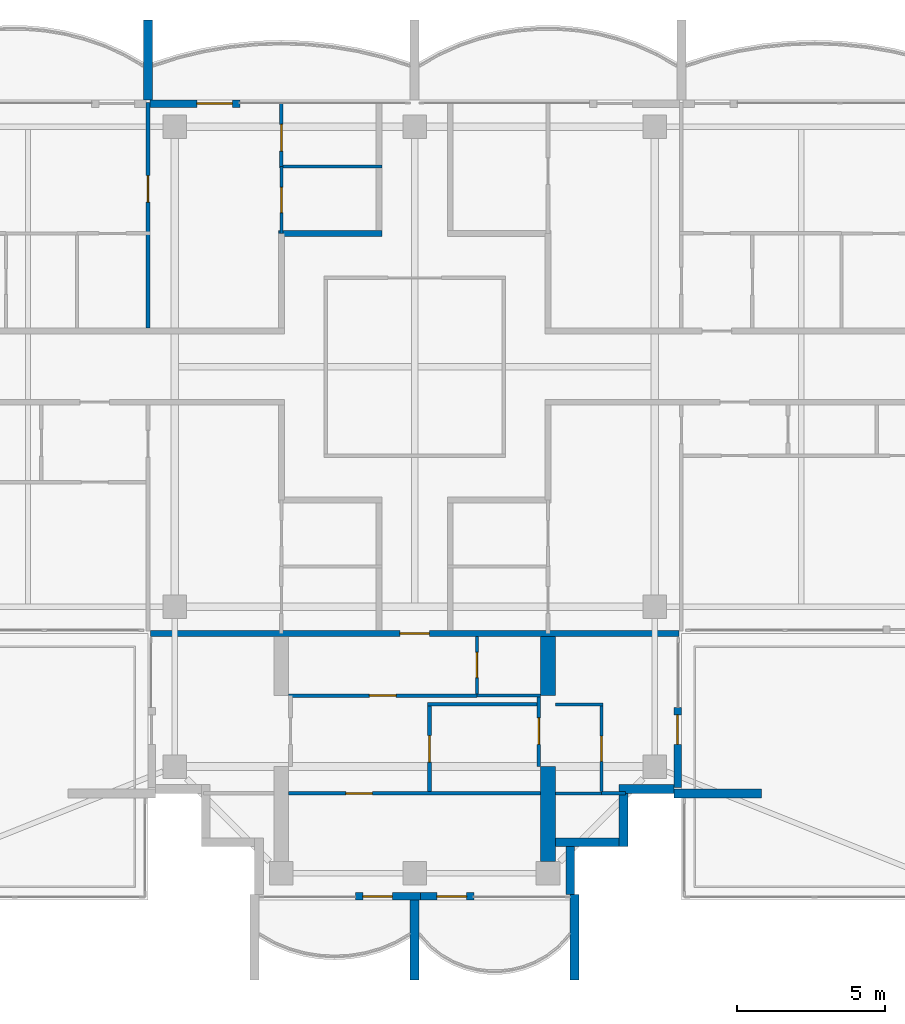
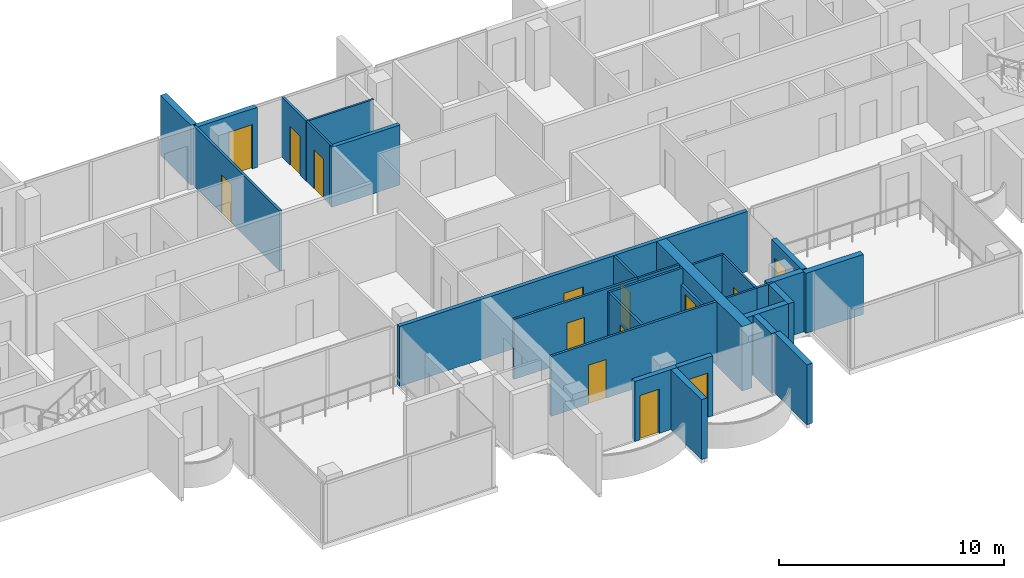
# One storey, part 9 of 16: 30 walls, 14 doors, 14 openings.
"""IFC4 building model written with IfcOpenShell, lengths in metres."""

from ifc_helpers import new_model, si_unit, direction, frame, frame_2d, origin, place, context, subcontext, project, spatial, polyline, rectangle, outline, extrude, material, layer, layer_set, material_profile, profile_set, type_object, element, fill, save


model = new_model("IFC4")

# Units and contexts
model_context = context("Model", 3, precision=1e-05, world=origin(), true_north=direction((0.0, 1.0)))
body_context = subcontext(model_context, "Body", "Model", "MODEL_VIEW")
ifc_project = project(units=[si_unit("LENGTHUNIT", "METRE"), si_unit("AREAUNIT", "SQUARE_METRE"), si_unit("VOLUMEUNIT", "CUBIC_METRE"), si_unit("PLANEANGLEUNIT", "RADIAN"), si_unit("MASSUNIT", "GRAM", prefix="KILO")], contexts=[model_context])

# Site, building, storey
site_placement = place(None, origin())
site = spatial("IfcSite", under=ifc_project, at=site_placement, CompositionType="ELEMENT")
building_placement = place(site_placement, origin())
building = spatial("IfcBuilding", under=site, at=building_placement, Name="Perihelion Cross Residences", CompositionType="ELEMENT")
storey_placement = place(building_placement, frame((0.0, 0.0, 236.0)))
storey = spatial("IfcBuildingStorey", under=building, at=storey_placement, Name="L59", CompositionType="ELEMENT", Elevation=236.0)

# Wall
ifc_material_1 = material(Name="Plasterboard partition")
ifc_layer_1 = layer(ifc_material_1, 0.199951171875)
ifc_layer_set_1 = layer_set([ifc_layer_1], Name="Apartment separation wall 200")
wall_type_1 = type_object("IfcWallType", Name="Apartment separation wall 200", PredefinedType="PARTITIONING", material=ifc_layer_set_1)
wall_1_placement = place(storey_placement, frame((-4.60009765625, 4.5, 0.0), z_axis=(0.0, 0.0, 1.0), x_axis=(1.0, 0.0, 0.0)))
element("IfcWall", 1, at=wall_1_placement, inside=storey, type_object=wall_type_1, Name="Partition L59 W015", PredefinedType="PARTITIONING", context=body_context, shape_type="SweptSolid", body=[
    extrude(rectangle(XDim=3.5, YDim=0.199951171875, at=frame_2d((1.75, 0.0))), origin(), (0.0, 0.0, 1.0), 3.25),
])

# Wall, opening, door
wall_2_placement = place(storey_placement, frame((8.919921875, -9.0, 0.0), z_axis=(0.0, 0.0, 1.0), x_axis=(-1.0, 0.0, 0.0)))
wall_2 = element("IfcWall", 2, at=wall_2_placement, inside=storey, type_object=wall_type_1, Name="Partition L59 W021", PredefinedType="PARTITIONING", context=body_context, shape_type="SweptSolid", body=[
    extrude(rectangle(XDim=17.83984375, YDim=0.199951171875, at=frame_2d((8.919921875, 0.0))), origin(), (0.0, 0.0, 1.0), 3.25),
])
opening_1_placement = place(wall_2_placement, frame((8.419921875, 0.0, 0.0)))
opening_1 = element("IfcOpeningElement", 3, at=opening_1_placement, cuts=wall_2, Name="Opening L59.A33", PredefinedType="OPENING", context=body_context, shape_type="SweptSolid", body=[
    extrude(rectangle(XDim=1.0, YDim=2.10009765625, at=frame_2d((0.5, 1.050048828125))), frame((0.0, 0.10986328125, 0.0), z_axis=(0.0, -1.0, 0.0), x_axis=(1.0, 0.0, 0.0)), (0.0, 0.0, 1.0), 0.219970703125),
])
ifc_material_2 = material(Name="Timber door leaf", Category="wood")
door_type_1 = type_object("IfcDoorType", Name="Flat entrance door 1000 x 2100", OperationType="SINGLE_SWING_LEFT", PredefinedType="DOOR", material=ifc_material_2)
door_1_placement = place(opening_1_placement, origin())
door_1 = element("IfcDoor", 4, at=door_1_placement, inside=storey, type_object=door_type_1, Name="Door L59.A33", OperationType="SINGLE_SWING_LEFT", OverallHeight=2.10009765625, OverallWidth=1.0, PredefinedType="DOOR", context=body_context, shape_type="SweptSolid", body=[
    extrude(rectangle(XDim=1.0, YDim=2.10009765625, at=frame_2d((0.5, 1.050048828125))), frame((0.0, 0.02490234375, 0.0), z_axis=(0.0, -1.0, 0.0), x_axis=(1.0, 0.0, 0.0)), (0.0, 0.0, 1.0), 0.050048828125),
])
fill(opening_1, door_1)

ifc_material_3 = material(Name="Concrete C30/37, bronze-clad", Category="concrete")
ifc_layer_2 = layer(ifc_material_3, 0.25)
ifc_layer_set_2 = layer_set([ifc_layer_2], Name="Bronze-clad pier wall 250")
wall_type_2 = type_object("IfcWallType", Name="Bronze-clad pier wall 250", PredefinedType="SOLIDWALL", material=ifc_layer_set_2)
wall_3_placement = place(storey_placement, frame((-5.89990234375, 8.875, 0.0), z_axis=(0.0, 0.0, 1.0), x_axis=(-1.0, 0.0, 0.0)))
wall_3 = element("IfcWall", 5, at=wall_3_placement, inside=storey, type_object=wall_type_2, Name="Wall FW1 L59 north side east bay 2 pier", PredefinedType="SOLIDWALL", context=body_context, shape_type="SweptSolid", body=[
    extrude(rectangle(XDim=3.0400390625, YDim=0.25, at=frame_2d((1.52001953125, 0.0))), origin(), (0.0, 0.0, 1.0), 3.25),
])
opening_2_placement = place(wall_3_placement, frame((0.25, 0.0, 0.0)))
opening_2 = element("IfcOpeningElement", 6, at=opening_2_placement, cuts=wall_3, Name="Opening L59.E04", PredefinedType="OPENING", context=body_context, shape_type="SweptSolid", body=[
    extrude(rectangle(XDim=1.199951171875, YDim=2.39990234375, at=frame_2d((0.60009765625, 1.199951171875))), frame((0.0, 0.135009765625, 0.0), z_axis=(0.0, -1.0, 0.0), x_axis=(1.0, 0.0, 0.0)), (0.0, 0.0, 1.0), 0.27001953125),
])
ifc_material_4 = material(Name="Bronze anodised aluminium, glazed", Category="aluminium")
door_type_2 = type_object("IfcDoorType", Name="Balcony door 1200 x 2400", OperationType="NOTDEFINED", PredefinedType="DOOR", material=ifc_material_4)
door_2_placement = place(opening_2_placement, origin())
door_2 = element("IfcDoor", 7, at=door_2_placement, inside=storey, type_object=door_type_2, Name="Door L59.E04 north side east bay 2", OperationType="SINGLE_SWING_RIGHT", OverallHeight=2.39990234375, OverallWidth=1.199951171875, PredefinedType="DOOR", context=body_context, shape_type="SweptSolid", body=[
    extrude(rectangle(XDim=1.199951171875, YDim=2.39990234375, at=frame_2d((0.60009765625, 1.199951171875))), frame((0.0, 0.02490234375, 0.0), z_axis=(0.0, -1.0, 0.0), x_axis=(1.0, 0.0, 0.0)), (0.0, 0.0, 1.0), 0.050048828125),
])
fill(opening_2, door_2)

wall_4_placement = place(storey_placement, frame((-2.0, -17.875, 0.0), z_axis=(0.0, 0.0, 1.0), x_axis=(1.0, 0.0, 0.0)))
wall_4 = element("IfcWall", 8, at=wall_4_placement, inside=storey, type_object=wall_type_2, Name="Wall FW1 L59 south tip south bay 1 pier", PredefinedType="SOLIDWALL", context=body_context, shape_type="SweptSolid", body=[
    extrude(rectangle(XDim=2.199951171875, YDim=0.25, at=frame_2d((1.10009765625, 0.0))), origin(), (0.0, 0.0, 1.0), 3.25),
])
opening_3_placement = place(wall_4_placement, frame((0.25, 0.0, 0.0)))
opening_3 = element("IfcOpeningElement", 9, at=opening_3_placement, cuts=wall_4, Name="Opening L59.E10", PredefinedType="OPENING", context=body_context, shape_type="SweptSolid", body=[
    extrude(rectangle(XDim=1.0, YDim=2.39990234375, at=frame_2d((0.5, 1.199951171875))), frame((0.0, 0.135009765625, 0.0), z_axis=(0.0, -1.0, 0.0), x_axis=(1.0, 0.0, 0.0)), (0.0, 0.0, 1.0), 0.27001953125),
])
ifc_material_5 = material(Name="Bronze anodised aluminium, glazed", Category="aluminium")
door_type_3 = type_object("IfcDoorType", Name="Balcony door 1000 x 2400", OperationType="NOTDEFINED", PredefinedType="DOOR", material=ifc_material_5)
door_3_placement = place(opening_3_placement, origin())
door_3 = element("IfcDoor", 10, at=door_3_placement, inside=storey, type_object=door_type_3, Name="Door L59.E10 south tip south bay 1", OperationType="SINGLE_SWING_RIGHT", OverallHeight=2.39990234375, OverallWidth=1.0, PredefinedType="DOOR", context=body_context, shape_type="SweptSolid", body=[
    extrude(rectangle(XDim=1.0, YDim=2.39990234375, at=frame_2d((0.5, 1.199951171875))), frame((0.0, 0.02490234375, 0.0), z_axis=(0.0, -1.0, 0.0), x_axis=(1.0, 0.0, 0.0)), (0.0, 0.0, 1.0), 0.050048828125),
])
fill(opening_3, door_3)

wall_5_placement = place(storey_placement, frame((0.199951171875, -17.875, 0.0), z_axis=(0.0, 0.0, 1.0), x_axis=(1.0, 0.0, 0.0)))
wall_5 = element("IfcWall", 11, at=wall_5_placement, inside=storey, type_object=wall_type_2, Name="Wall FW1 L59 south tip south bay 2 pier", PredefinedType="SOLIDWALL", context=body_context, shape_type="SweptSolid", body=[
    extrude(rectangle(XDim=1.800048828125, YDim=0.25, at=frame_2d((0.89990234375, 0.0))), origin(), (0.0, 0.0, 1.0), 3.25),
])
opening_4_placement = place(wall_5_placement, frame((0.550048828125, 0.0, 0.0)))
opening_4 = element("IfcOpeningElement", 12, at=opening_4_placement, cuts=wall_5, Name="Opening L59.E11", PredefinedType="OPENING", context=body_context, shape_type="SweptSolid", body=[
    extrude(rectangle(XDim=1.0, YDim=2.39990234375, at=frame_2d((0.5, 1.199951171875))), frame((0.0, 0.135009765625, 0.0), z_axis=(0.0, -1.0, 0.0), x_axis=(1.0, 0.0, 0.0)), (0.0, 0.0, 1.0), 0.27001953125),
])
door_4_placement = place(opening_4_placement, origin())
door_4 = element("IfcDoor", 13, at=door_4_placement, inside=storey, type_object=door_type_3, Name="Door L59.E11 south tip south bay 2", OperationType="SINGLE_SWING_LEFT", OverallHeight=2.39990234375, OverallWidth=1.0, PredefinedType="DOOR", context=body_context, shape_type="SweptSolid", body=[
    extrude(rectangle(XDim=1.0, YDim=2.39990234375, at=frame_2d((0.5, 1.199951171875))), frame((0.0, 0.02490234375, 0.0), z_axis=(0.0, -1.0, 0.0), x_axis=(1.0, 0.0, 0.0)), (0.0, 0.0, 1.0), 0.050048828125),
])
fill(opening_4, door_4)

wall_6_placement = place(storey_placement, frame((8.875, -14.199951171875, 0.0), z_axis=(0.0, 0.0, 1.0), x_axis=(0.0, 1.0, 0.0)))
wall_6 = element("IfcWall", 14, at=wall_6_placement, inside=storey, type_object=wall_type_2, Name="Wall FW1 L59 south side east bay 1 pier", PredefinedType="SOLIDWALL", context=body_context, shape_type="SweptSolid", body=[
    extrude(rectangle(XDim=2.699951171875, YDim=0.25, at=frame_2d((1.35009765625, 0.0))), origin(), (0.0, 0.0, 1.0), 3.25),
])
opening_5_placement = place(wall_6_placement, frame((1.449951171875, 0.0, 0.0)))
opening_5 = element("IfcOpeningElement", 15, at=opening_5_placement, cuts=wall_6, Name="Opening L59.E12", PredefinedType="OPENING", context=body_context, shape_type="SweptSolid", body=[
    extrude(rectangle(XDim=1.0, YDim=2.39990234375, at=frame_2d((0.5, 1.199951171875))), frame((0.0, 0.135009765625, 0.0), z_axis=(0.0, -1.0, 0.0), x_axis=(1.0, 0.0, 0.0)), (0.0, 0.0, 1.0), 0.27001953125),
])
door_5_placement = place(opening_5_placement, origin())
door_5 = element("IfcDoor", 16, at=door_5_placement, inside=storey, type_object=door_type_3, Name="Door L59.E12 south side east bay 1", OperationType="SINGLE_SWING_RIGHT", OverallHeight=2.39990234375, OverallWidth=1.0, PredefinedType="DOOR", context=body_context, shape_type="SweptSolid", body=[
    extrude(rectangle(XDim=1.0, YDim=2.39990234375, at=frame_2d((0.5, 1.199951171875))), frame((0.0, 0.02490234375, 0.0), z_axis=(0.0, -1.0, 0.0), x_axis=(1.0, 0.0, 0.0)), (0.0, 0.0, 1.0), 0.050048828125),
])
fill(opening_5, door_5)

# Walls
ifc_material_6 = material(Name="Concrete C30/37, bronze-clad", Category="concrete")
ifc_layer_3 = layer(ifc_material_6, 0.300048828125)
ifc_layer_set_3 = layer_set([ifc_layer_3], Name="Bronze-clad serration wall 300")
wall_type_3 = type_object("IfcWallType", Name="Bronze-clad serration wall 300", PredefinedType="SOLIDWALL", material=ifc_layer_set_3)
wall_7_placement = place(storey_placement, frame((5.25, -17.820068359375, 0.0), z_axis=(0.0, 0.0, 1.0), x_axis=(0.0, 1.0, 0.0)))
element("IfcWall", 17, at=wall_7_placement, inside=storey, type_object=wall_type_3, Name="Wall SR1 L59 south corner south-east 1", PredefinedType="SOLIDWALL", context=body_context, shape_type="SweptSolid", body=[
    extrude(rectangle(XDim=1.6201171875, YDim=0.300048828125, at=frame_2d((0.81005859375, 0.0))), origin(), (0.0, 0.0, 1.0), 3.25),
])
wall_8_placement = place(storey_placement, frame((4.75, -16.050048828125, 0.0), z_axis=(0.0, 0.0, 1.0), x_axis=(1.0, 0.0, 0.0)))
element("IfcWall", 18, at=wall_8_placement, inside=storey, type_object=wall_type_3, Name="Wall SR1 L59 south corner south-east 2", PredefinedType="SOLIDWALL", context=body_context, shape_type="SweptSolid", body=[
    extrude(rectangle(XDim=2.14990234375, YDim=0.300048828125, at=frame_2d((1.074951171875, 0.0))), origin(), (0.0, 0.0, 1.0), 3.25),
])
wall_9_placement = place(storey_placement, frame((7.050048828125, -16.199951171875, 0.0), z_axis=(0.0, 0.0, 1.0), x_axis=(0.0, 1.0, 0.0)))
element("IfcWall", 19, at=wall_9_placement, inside=storey, type_object=wall_type_3, Name="Wall SR1 L59 south corner south-east 3", PredefinedType="SOLIDWALL", context=body_context, shape_type="SweptSolid", body=[
    extrude(rectangle(XDim=1.800048828125, YDim=0.300048828125, at=frame_2d((0.89990234375, 0.0))), origin(), (0.0, 0.0, 1.0), 3.25),
])
wall_10_placement = place(storey_placement, frame((6.89990234375, -14.25, 0.0), z_axis=(0.0, 0.0, 1.0), x_axis=(1.0, 0.0, 0.0)))
element("IfcWall", 20, at=wall_10_placement, inside=storey, type_object=wall_type_3, Name="Wall SR1 L59 south corner south-east 4", PredefinedType="SOLIDWALL", context=body_context, shape_type="SweptSolid", body=[
    extrude(rectangle(XDim=1.85009765625, YDim=0.300048828125, at=frame_2d((0.925048828125, 0.0))), origin(), (0.0, 0.0, 1.0), 3.25),
])

# Wall, opening, door
ifc_material_7 = material(Name="Plasterboard partition")
ifc_layer_4 = layer(ifc_material_7, 0.1201171875)
ifc_layer_set_4 = layer_set([ifc_layer_4], Name="Infill panel 120")
wall_type_4 = type_object("IfcWallType", Name="Infill panel 120", PredefinedType="PARTITIONING", material=ifc_layer_set_4)
wall_11_placement = place(storey_placement, frame((4.18994140625, -11.10009765625, 0.0), z_axis=(0.0, 0.0, 1.0), x_axis=(0.0, -1.0, 0.0)))
wall_11 = element("IfcWall", 21, at=wall_11_placement, inside=storey, type_object=wall_type_4, Name="Partition L59 WI01", PredefinedType="PARTITIONING", context=body_context, shape_type="SweptSolid", body=[
    extrude(rectangle(XDim=2.39990234375, YDim=0.1201171875, at=frame_2d((1.199951171875, 0.0))), origin(), (0.0, 0.0, 1.0), 2.39990234375),
])
opening_6_placement = place(wall_11_placement, frame((0.75, 0.0, 0.0)))
opening_6 = element("IfcOpeningElement", 22, at=opening_6_placement, cuts=wall_11, Name="Opening L59.A43", PredefinedType="OPENING", context=body_context, shape_type="SweptSolid", body=[
    extrude(rectangle(XDim=0.89990234375, YDim=2.10009765625, at=frame_2d((0.449951171875, 1.050048828125))), frame((0.0, 0.070068359375, 0.0), z_axis=(0.0, -1.0, 0.0), x_axis=(1.0, 0.0, 0.0)), (0.0, 0.0, 1.0), 0.14013671875),
])
ifc_material_8 = material(Name="Timber door leaf", Category="wood")
door_type_4 = type_object("IfcDoorType", Name="Interior room door 900 x 2100", OperationType="SINGLE_SWING_LEFT", PredefinedType="DOOR", material=ifc_material_8)
door_6_placement = place(opening_6_placement, origin())
door_6 = element("IfcDoor", 23, at=door_6_placement, inside=storey, type_object=door_type_4, Name="Door L59.A43", OperationType="SINGLE_SWING_RIGHT", OverallHeight=2.10009765625, OverallWidth=0.89990234375, PredefinedType="DOOR", context=body_context, shape_type="SweptSolid", body=[
    extrude(rectangle(XDim=0.89990234375, YDim=2.10009765625, at=frame_2d((0.449951171875, 1.050048828125))), frame((0.0, 0.02490234375, 0.0), z_axis=(0.0, -1.0, 0.0), x_axis=(1.0, 0.0, 0.0)), (0.0, 0.0, 1.0), 0.050048828125),
])
fill(opening_6, door_6)

ifc_material_9 = material(Name="Plasterboard partition")
ifc_layer_5 = layer(ifc_material_9, 0.1201171875)
ifc_layer_set_5 = layer_set([ifc_layer_5], Name="Partition wall 120")
wall_type_5 = type_object("IfcWallType", Name="Partition wall 120", PredefinedType="PARTITIONING", material=ifc_layer_set_5)
wall_12_placement = place(storey_placement, frame((-9.0, 8.919921875, 0.0), z_axis=(0.0, 0.0, 1.0), x_axis=(0.0, -1.0, 0.0)))
wall_12 = element("IfcWall", 24, at=wall_12_placement, inside=storey, type_object=wall_type_5, Name="Partition L59 W045", PredefinedType="PARTITIONING", context=body_context, shape_type="SweptSolid", body=[
    extrude(rectangle(XDim=7.619873046875, YDim=0.1201171875, at=frame_2d((3.81005859375, 0.0))), origin(), (0.0, 0.0, 1.0), 3.25),
])
opening_7_placement = place(wall_12_placement, frame((2.469970703125, 0.0, 0.0)))
opening_7 = element("IfcOpeningElement", 25, at=opening_7_placement, cuts=wall_12, Name="Opening L59.A21", PredefinedType="OPENING", context=body_context, shape_type="SweptSolid", body=[
    extrude(rectangle(XDim=0.89990234375, YDim=2.10009765625, at=frame_2d((0.449951171875, 1.050048828125))), frame((0.0, 0.070068359375, 0.0), z_axis=(0.0, -1.0, 0.0), x_axis=(1.0, 0.0, 0.0)), (0.0, 0.0, 1.0), 0.14013671875),
])
door_7_placement = place(opening_7_placement, origin())
door_7 = element("IfcDoor", 26, at=door_7_placement, inside=storey, type_object=door_type_4, Name="Door L59.A21", OperationType="SINGLE_SWING_LEFT", OverallHeight=2.10009765625, OverallWidth=0.89990234375, PredefinedType="DOOR", context=body_context, shape_type="SweptSolid", body=[
    extrude(rectangle(XDim=0.89990234375, YDim=2.10009765625, at=frame_2d((0.449951171875, 1.050048828125))), frame((0.0, 0.02490234375, 0.0), z_axis=(0.0, -1.0, 0.0), x_axis=(1.0, 0.0, 0.0)), (0.0, 0.0, 1.0), 0.050048828125),
])
fill(opening_7, door_7)

wall_13_placement = place(storey_placement, frame((-4.5, 8.919921875, 0.0), z_axis=(0.0, 0.0, 1.0), x_axis=(0.0, -1.0, 0.0)))
wall_13 = element("IfcWall", 27, at=wall_13_placement, inside=storey, type_object=wall_type_5, Name="Partition L59 W052", PredefinedType="PARTITIONING", context=body_context, shape_type="SweptSolid", body=[
    extrude(rectangle(XDim=2.169921875, YDim=0.1201171875, at=frame_2d((1.0849609375, 0.0))), origin(), (0.0, 0.0, 1.0), 3.25),
])
opening_8_placement = place(wall_13_placement, frame((0.7451171875, 0.0, 0.0)))
opening_8 = element("IfcOpeningElement", 28, at=opening_8_placement, cuts=wall_13, Name="Opening L59.A20", PredefinedType="OPENING", context=body_context, shape_type="SweptSolid", body=[
    extrude(rectangle(XDim=0.89990234375, YDim=2.10009765625, at=frame_2d((0.449951171875, 1.050048828125))), frame((0.0, 0.070068359375, 0.0), z_axis=(0.0, -1.0, 0.0), x_axis=(1.0, 0.0, 0.0)), (0.0, 0.0, 1.0), 0.14013671875),
])
door_8_placement = place(opening_8_placement, origin())
door_8 = element("IfcDoor", 29, at=door_8_placement, inside=storey, type_object=door_type_4, Name="Door L59.A20", OperationType="SINGLE_SWING_RIGHT", OverallHeight=2.10009765625, OverallWidth=0.89990234375, PredefinedType="DOOR", context=body_context, shape_type="SweptSolid", body=[
    extrude(rectangle(XDim=0.89990234375, YDim=2.10009765625, at=frame_2d((0.449951171875, 1.050048828125))), frame((0.0, 0.02490234375, 0.0), z_axis=(0.0, -1.0, 0.0), x_axis=(1.0, 0.0, 0.0)), (0.0, 0.0, 1.0), 0.050048828125),
])
fill(opening_8, door_8)

wall_14_placement = place(storey_placement, frame((2.10009765625, -11.10009765625, 0.0), z_axis=(0.0, 0.0, 1.0), x_axis=(-1.0, 0.0, 0.0)))
wall_14 = element("IfcWall", 30, at=wall_14_placement, inside=storey, type_object=wall_type_5, Name="Partition L59 W066", PredefinedType="PARTITIONING", context=body_context, shape_type="SweptSolid", body=[
    extrude(rectangle(XDim=6.35009765625, YDim=0.1201171875, at=frame_2d((3.175048828125, 0.0))), origin(), (0.0, 0.0, 1.0), 3.25),
])
opening_9_placement = place(wall_14_placement, frame((2.72509765625, 0.0, 0.0)))
opening_9 = element("IfcOpeningElement", 31, at=opening_9_placement, cuts=wall_14, Name="Opening L59.A35", PredefinedType="OPENING", context=body_context, shape_type="SweptSolid", body=[
    extrude(rectangle(XDim=0.89990234375, YDim=2.10009765625, at=frame_2d((0.449951171875, 1.050048828125))), frame((0.0, 0.070068359375, 0.0), z_axis=(0.0, -1.0, 0.0), x_axis=(1.0, 0.0, 0.0)), (0.0, 0.0, 1.0), 0.14013671875),
])
door_9_placement = place(opening_9_placement, origin())
door_9 = element("IfcDoor", 32, at=door_9_placement, inside=storey, type_object=door_type_4, Name="Door L59.A35", OperationType="SINGLE_SWING_LEFT", OverallHeight=2.10009765625, OverallWidth=0.89990234375, PredefinedType="DOOR", context=body_context, shape_type="SweptSolid", body=[
    extrude(rectangle(XDim=0.89990234375, YDim=2.10009765625, at=frame_2d((0.449951171875, 1.050048828125))), frame((0.0, 0.02490234375, 0.0), z_axis=(0.0, -1.0, 0.0), x_axis=(1.0, 0.0, 0.0)), (0.0, 0.0, 1.0), 0.050048828125),
])
fill(opening_9, door_9)

# Wall
wall_15_placement = place(storey_placement, frame((4.25, -11.39990234375, 0.0), z_axis=(0.0, 0.0, 1.0), x_axis=(-1.0, 0.0, 0.0)))
element("IfcWall", 33, at=wall_15_placement, inside=storey, type_object=wall_type_5, Name="Partition L59 W068", PredefinedType="PARTITIONING", context=body_context, shape_type="SweptSolid", body=[
    extrude(rectangle(XDim=3.81005859375, YDim=0.1201171875, at=frame_2d((1.905029296875, 0.0))), origin(), (0.0, 0.0, 1.0), 3.25),
])

# Wall, opening, door
wall_16_placement = place(storey_placement, frame((0.5, -11.4599609375, 0.0), z_axis=(0.0, 0.0, 1.0), x_axis=(0.0, -1.0, 0.0)))
wall_16 = element("IfcWall", 34, at=wall_16_placement, inside=storey, type_object=wall_type_5, Name="Partition L59 W069", PredefinedType="PARTITIONING", context=body_context, shape_type="SweptSolid", body=[
    extrude(rectangle(XDim=2.880126953125, YDim=0.1201171875, at=frame_2d((1.43994140625, 0.0))), origin(), (0.0, 0.0, 1.0), 3.25),
])
opening_10_placement = place(wall_16_placement, frame((0.989990234375, 0.0, 0.0)))
opening_10 = element("IfcOpeningElement", 35, at=opening_10_placement, cuts=wall_16, Name="Opening L59.A36", PredefinedType="OPENING", context=body_context, shape_type="SweptSolid", body=[
    extrude(rectangle(XDim=0.89990234375, YDim=2.10009765625, at=frame_2d((0.449951171875, 1.050048828125))), frame((0.0, 0.070068359375, 0.0), z_axis=(0.0, -1.0, 0.0), x_axis=(1.0, 0.0, 0.0)), (0.0, 0.0, 1.0), 0.14013671875),
])
door_10_placement = place(opening_10_placement, origin())
door_10 = element("IfcDoor", 36, at=door_10_placement, inside=storey, type_object=door_type_4, Name="Door L59.A36", OperationType="SINGLE_SWING_LEFT", OverallHeight=2.10009765625, OverallWidth=0.89990234375, PredefinedType="DOOR", context=body_context, shape_type="SweptSolid", body=[
    extrude(rectangle(XDim=0.89990234375, YDim=2.10009765625, at=frame_2d((0.449951171875, 1.050048828125))), frame((0.0, 0.02490234375, 0.0), z_axis=(0.0, -1.0, 0.0), x_axis=(1.0, 0.0, 0.0)), (0.0, 0.0, 1.0), 0.050048828125),
])
fill(opening_10, door_10)

wall_17_placement = place(storey_placement, frame((4.25, -14.39990234375, 0.0), z_axis=(0.0, 0.0, 1.0), x_axis=(-1.0, 0.0, 0.0)))
wall_17 = element("IfcWall", 37, at=wall_17_placement, inside=storey, type_object=wall_type_5, Name="Partition L59 W070", PredefinedType="PARTITIONING", context=body_context, shape_type="SweptSolid", body=[
    extrude(rectangle(XDim=8.5, YDim=0.1201171875, at=frame_2d((4.25, 0.0))), origin(), (0.0, 0.0, 1.0), 3.25),
])
opening_11_placement = place(wall_17_placement, frame((5.675048828125, 0.0, 0.0)))
opening_11 = element("IfcOpeningElement", 38, at=opening_11_placement, cuts=wall_17, Name="Opening L59.A37", PredefinedType="OPENING", context=body_context, shape_type="SweptSolid", body=[
    extrude(rectangle(XDim=0.89990234375, YDim=2.10009765625, at=frame_2d((0.449951171875, 1.050048828125))), frame((0.0, 0.070068359375, 0.0), z_axis=(0.0, -1.0, 0.0), x_axis=(1.0, 0.0, 0.0)), (0.0, 0.0, 1.0), 0.14013671875),
])
door_11_placement = place(opening_11_placement, origin())
door_11 = element("IfcDoor", 39, at=door_11_placement, inside=storey, type_object=door_type_4, Name="Door L59.A37", OperationType="SINGLE_SWING_LEFT", OverallHeight=2.10009765625, OverallWidth=0.89990234375, PredefinedType="DOOR", context=body_context, shape_type="SweptSolid", body=[
    extrude(rectangle(XDim=0.89990234375, YDim=2.10009765625, at=frame_2d((0.449951171875, 1.050048828125))), frame((0.0, 0.02490234375, 0.0), z_axis=(0.0, -1.0, 0.0), x_axis=(1.0, 0.0, 0.0)), (0.0, 0.0, 1.0), 0.050048828125),
])
fill(opening_11, door_11)

# Walls
wall_18_placement = place(storey_placement, frame((7.1201171875, -14.39990234375, 0.0), z_axis=(0.0, 0.0, 1.0), x_axis=(-1.0, 0.0, 0.0)))
element("IfcWall", 40, at=wall_18_placement, inside=storey, type_object=wall_type_5, Name="Partition L59 W073", PredefinedType="PARTITIONING", context=body_context, shape_type="SweptSolid", body=[
    extrude(rectangle(XDim=0.820068359375, YDim=0.1201171875, at=frame_2d((0.41015625, 0.0))), origin(), (0.0, 0.0, 1.0), 3.25),
])
ifc_material_10 = material(Name="Precast concrete C50/60", Category="concrete")
ifc_layer_6 = layer(ifc_material_10, 0.300048828125)
ifc_layer_set_6 = layer_set([ifc_layer_6], Name="Precast concrete C50/60 blade wall 300")
wall_type_6 = type_object("IfcWallType", Name="Precast concrete C50/60 blade wall 300", PredefinedType="SOLIDWALL", material=ifc_layer_set_6)
for number, where, z_axis, x_axis, name in (
    (41, (-9.0, 9.0, 0.0), (0.0, 0.0, 1.0), (0.0, 1.0, 0.0), "Wall BL1 L59 no. 7"),
    (42, (0.0, -18.0, 0.0), (0.0, 0.0, 1.0), (0.0, -1.0, 0.0), "Wall BL1 L59 no. 8"),
):
    element("IfcWall", number, at=place(storey_placement, frame(where, z_axis=z_axis, x_axis=x_axis)), inside=storey, type_object=wall_type_6, Name=name, PredefinedType="SOLIDWALL", context=body_context, shape_type="SweptSolid", body=[
        extrude(rectangle(XDim=2.699951171875, YDim=0.300048828125, at=frame_2d((1.35009765625, 0.0))), origin(), (0.0, 0.0, 1.0), 3.25),
    ])
wall_19_placement = place(storey_placement, frame((5.39990234375, -17.820068359375, 0.0), z_axis=(0.0, 0.0, 1.0), x_axis=(0.0, -1.0, 0.0)))
element("IfcWall", 43, at=wall_19_placement, inside=storey, type_object=wall_type_6, Name="Wall BL1 L59 no. 14", PredefinedType="SOLIDWALL", context=body_context, shape_type="SweptSolid", body=[
    extrude(rectangle(XDim=2.8798828125, YDim=0.300048828125, at=frame_2d((1.43994140625, 0.0))), origin(), (0.0, 0.0, 1.0), 3.25),
])
wall_20_placement = place(storey_placement, frame((8.75, -14.39990234375, 0.0), z_axis=(0.0, 0.0, 1.0), x_axis=(1.0, 0.0, 0.0)))
element("IfcWall", 44, at=wall_20_placement, inside=storey, type_object=wall_type_6, Name="Wall BL1 L59 no. 15", PredefinedType="SOLIDWALL", context=body_context, shape_type="SweptSolid", body=[
    extrude(rectangle(XDim=2.949951171875, YDim=0.300048828125, at=frame_2d((1.47509765625, 0.0))), origin(), (0.0, 0.0, 1.0), 3.25),
])
ifc_material_11 = material(Name="Concrete C50/60", Category="concrete")
ifc_material_profile = material_profile(ifc_material_11, outline(polyline([(0.0, 0.0), (3.199951171875, 0.0), (3.199951171875, 2.64990234375), (5.60009765625, 2.64990234375), (5.60009765625, 0.0), (7.699951171875, 0.0), (7.699951171875, 3.5), (0.0, 3.5), (0.0, 0.0)])), Name="Tip spine wall")
ifc_profile_set = profile_set([ifc_material_profile], Name="Concrete C50/60")
wall_type_7 = type_object("IfcWallType", Name="Tip spine wall 500 with 1 door openings 7700 long 3500 high concrete C50/60", PredefinedType="SHEAR", material=ifc_profile_set)
wall_21_placement = place(storey_placement, frame((4.25, -16.699951171875, -0.25), z_axis=(1.0, 0.0, 0.0), x_axis=(0.0, 1.0, 0.0)))
element("IfcWall", 45, at=wall_21_placement, inside=storey, type_object=wall_type_7, Name="Shear wall SW45 L59 south east", PredefinedType="SHEAR", context=body_context, shape_type="SweptSolid", body=[
    extrude(outline(polyline([(0.0, 0.0), (3.199951171875, 0.0), (3.199951171875, 2.64990234375), (5.60009765625, 2.64990234375), (5.60009765625, 0.0), (7.699951171875, 0.0), (7.699951171875, 3.5), (0.0, 3.5), (0.0, 0.0)])), origin(), (0.0, 0.0, 1.0), 0.5),
])

# Wall, opening, door
ifc_material_12 = material(Name="Plasterboard partition")
ifc_layer_7 = layer(ifc_material_12, 0.10009765625)
ifc_layer_set_7 = layer_set([ifc_layer_7], Name="Wet room wall 100")
wall_type_8 = type_object("IfcWallType", Name="Wet room wall 100", PredefinedType="PARTITIONING", material=ifc_layer_set_7)
wall_22_placement = place(storey_placement, frame((-4.5, 6.75, 0.0), z_axis=(0.0, 0.0, 1.0), x_axis=(0.0, -1.0, 0.0)))
wall_22 = element("IfcWall", 46, at=wall_22_placement, inside=storey, type_object=wall_type_8, Name="Partition L59 W051", PredefinedType="PARTITIONING", context=body_context, shape_type="SweptSolid", body=[
    extrude(rectangle(XDim=2.25, YDim=0.10009765625, at=frame_2d((1.125, 0.0))), origin(), (0.0, 0.0, 1.0), 3.25),
])
opening_12_placement = place(wall_22_placement, frame((0.699951171875, 0.0, 0.0)))
opening_12 = element("IfcOpeningElement", 47, at=opening_12_placement, cuts=wall_22, Name="Opening L59.A22", PredefinedType="OPENING", context=body_context, shape_type="SweptSolid", body=[
    extrude(rectangle(XDim=0.85009765625, YDim=2.10009765625, at=frame_2d((0.425048828125, 1.050048828125))), frame((0.0, 0.06005859375, 0.0), z_axis=(0.0, -1.0, 0.0), x_axis=(1.0, 0.0, 0.0)), (0.0, 0.0, 1.0), 0.1201171875),
])
ifc_material_13 = material(Name="Timber door leaf", Category="wood")
door_type_5 = type_object("IfcDoorType", Name="Interior bathroom door 850 x 2100", OperationType="SINGLE_SWING_LEFT", PredefinedType="DOOR", material=ifc_material_13)
door_12_placement = place(opening_12_placement, origin())
door_12 = element("IfcDoor", 48, at=door_12_placement, inside=storey, type_object=door_type_5, Name="Door L59.A22", OperationType="SINGLE_SWING_RIGHT", OverallHeight=2.10009765625, OverallWidth=0.85009765625, PredefinedType="DOOR", context=body_context, shape_type="SweptSolid", body=[
    extrude(rectangle(XDim=0.85009765625, YDim=2.10009765625, at=frame_2d((0.425048828125, 1.050048828125))), frame((0.0, 0.02490234375, 0.0), z_axis=(0.0, -1.0, 0.0), x_axis=(1.0, 0.0, 0.0)), (0.0, 0.0, 1.0), 0.050048828125),
])
fill(opening_12, door_12)

# Wall
wall_23_placement = place(storey_placement, frame((-4.56005859375, 6.75, 0.0), z_axis=(0.0, 0.0, 1.0), x_axis=(1.0, 0.0, 0.0)))
element("IfcWall", 49, at=wall_23_placement, inside=storey, type_object=wall_type_8, Name="Partition L59 W053", PredefinedType="PARTITIONING", context=body_context, shape_type="SweptSolid", body=[
    extrude(rectangle(XDim=3.4599609375, YDim=0.10009765625, at=frame_2d((1.72998046875, 0.0))), origin(), (0.0, 0.0, 1.0), 3.25),
])

# Wall, opening, door
wall_24_placement = place(storey_placement, frame((2.10009765625, -9.10009765625, 0.0), z_axis=(0.0, 0.0, 1.0), x_axis=(0.0, -1.0, 0.0)))
wall_24 = element("IfcWall", 50, at=wall_24_placement, inside=storey, type_object=wall_type_8, Name="Partition L59 W065", PredefinedType="PARTITIONING", context=body_context, shape_type="SweptSolid", body=[
    extrude(rectangle(XDim=1.93994140625, YDim=0.10009765625, at=frame_2d((0.969970703125, 0.0))), origin(), (0.0, 0.0, 1.0), 3.25),
])
opening_13_placement = place(wall_24_placement, frame((0.544921875, 0.0, 0.0)))
opening_13 = element("IfcOpeningElement", 51, at=opening_13_placement, cuts=wall_24, Name="Opening L59.A34", PredefinedType="OPENING", context=body_context, shape_type="SweptSolid", body=[
    extrude(rectangle(XDim=0.85009765625, YDim=2.10009765625, at=frame_2d((0.425048828125, 1.050048828125))), frame((0.0, 0.06005859375, 0.0), z_axis=(0.0, -1.0, 0.0), x_axis=(1.0, 0.0, 0.0)), (0.0, 0.0, 1.0), 0.1201171875),
])
door_13_placement = place(opening_13_placement, origin())
door_13 = element("IfcDoor", 52, at=door_13_placement, inside=storey, type_object=door_type_5, Name="Door L59.A34", OperationType="SINGLE_SWING_RIGHT", OverallHeight=2.10009765625, OverallWidth=0.85009765625, PredefinedType="DOOR", context=body_context, shape_type="SweptSolid", body=[
    extrude(rectangle(XDim=0.85009765625, YDim=2.10009765625, at=frame_2d((0.425048828125, 1.050048828125))), frame((0.0, 0.02490234375, 0.0), z_axis=(0.0, -1.0, 0.0), x_axis=(1.0, 0.0, 0.0)), (0.0, 0.0, 1.0), 0.050048828125),
])
fill(opening_13, door_13)

# Wall
wall_25_placement = place(storey_placement, frame((4.25, -11.10009765625, 0.0), z_axis=(0.0, 0.0, 1.0), x_axis=(-1.0, 0.0, 0.0)))
element("IfcWall", 53, at=wall_25_placement, inside=storey, type_object=wall_type_8, Name="Partition L59 W067", PredefinedType="PARTITIONING", context=body_context, shape_type="SweptSolid", body=[
    extrude(rectangle(XDim=2.14990234375, YDim=0.10009765625, at=frame_2d((1.074951171875, 0.0))), origin(), (0.0, 0.0, 1.0), 3.25),
])

# Wall, opening, door
wall_26_placement = place(storey_placement, frame((6.300048828125, -14.340087890625, 0.0), z_axis=(0.0, 0.0, 1.0), x_axis=(0.0, 1.0, 0.0)))
wall_26 = element("IfcWall", 54, at=wall_26_placement, inside=storey, type_object=wall_type_8, Name="Partition L59 W071", PredefinedType="PARTITIONING", context=body_context, shape_type="SweptSolid", body=[
    extrude(rectangle(XDim=2.89013671875, YDim=0.10009765625, at=frame_2d((1.445068359375, 0.0))), origin(), (0.0, 0.0, 1.0), 3.25),
])
opening_14_placement = place(wall_26_placement, frame((1.02001953125, 0.0, 0.0)))
opening_14 = element("IfcOpeningElement", 55, at=opening_14_placement, cuts=wall_26, Name="Opening L59.A38", PredefinedType="OPENING", context=body_context, shape_type="SweptSolid", body=[
    extrude(rectangle(XDim=0.85009765625, YDim=2.10009765625, at=frame_2d((0.425048828125, 1.050048828125))), frame((0.0, 0.06005859375, 0.0), z_axis=(0.0, -1.0, 0.0), x_axis=(1.0, 0.0, 0.0)), (0.0, 0.0, 1.0), 0.1201171875),
])
door_14_placement = place(opening_14_placement, origin())
door_14 = element("IfcDoor", 56, at=door_14_placement, inside=storey, type_object=door_type_5, Name="Door L59.A38", OperationType="SINGLE_SWING_RIGHT", OverallHeight=2.10009765625, OverallWidth=0.85009765625, PredefinedType="DOOR", context=body_context, shape_type="SweptSolid", body=[
    extrude(rectangle(XDim=0.85009765625, YDim=2.10009765625, at=frame_2d((0.425048828125, 1.050048828125))), frame((0.0, 0.02490234375, 0.0), z_axis=(0.0, -1.0, 0.0), x_axis=(1.0, 0.0, 0.0)), (0.0, 0.0, 1.0), 0.050048828125),
])
fill(opening_14, door_14)

# Walls
wall_27_placement = place(storey_placement, frame((6.35009765625, -11.39990234375, 0.0), z_axis=(0.0, 0.0, 1.0), x_axis=(-1.0, 0.0, 0.0)))
element("IfcWall", 57, at=wall_27_placement, inside=storey, type_object=wall_type_8, Name="Partition L59 W072", PredefinedType="PARTITIONING", context=body_context, shape_type="SweptSolid", body=[
    extrude(rectangle(XDim=1.60009765625, YDim=0.10009765625, at=frame_2d((0.800048828125, 0.0))), origin(), (0.0, 0.0, 1.0), 3.25),
])
wall_28_placement = place(storey_placement, frame((6.300048828125, -14.39990234375, 0.0), z_axis=(0.0, 0.0, 1.0), x_axis=(-1.0, 0.0, 0.0)))
element("IfcWall", 58, at=wall_28_placement, inside=storey, type_object=wall_type_8, Name="Partition L59 W074", PredefinedType="PARTITIONING", context=body_context, shape_type="SweptSolid", body=[
    extrude(rectangle(XDim=1.550048828125, YDim=0.10009765625, at=frame_2d((0.77490234375, 0.0))), origin(), (0.0, 0.0, 1.0), 3.25),
])

save(model, "model.ifc")
